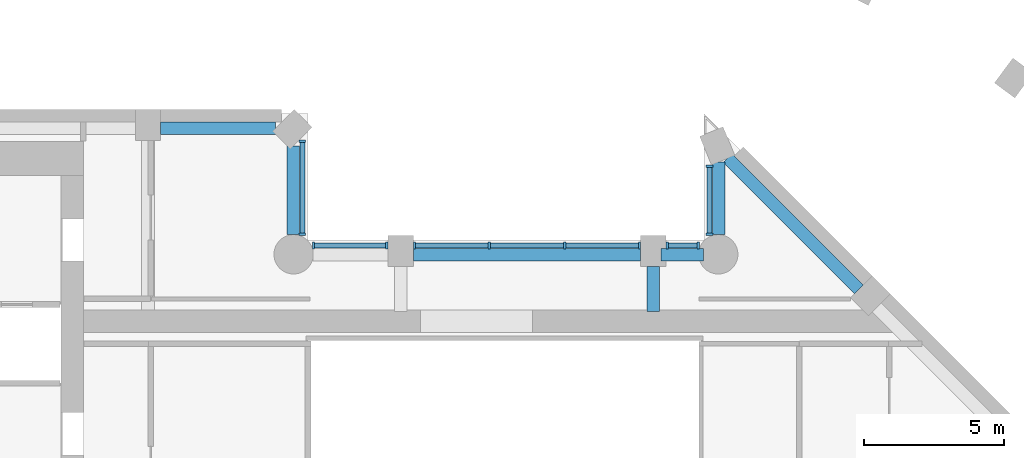
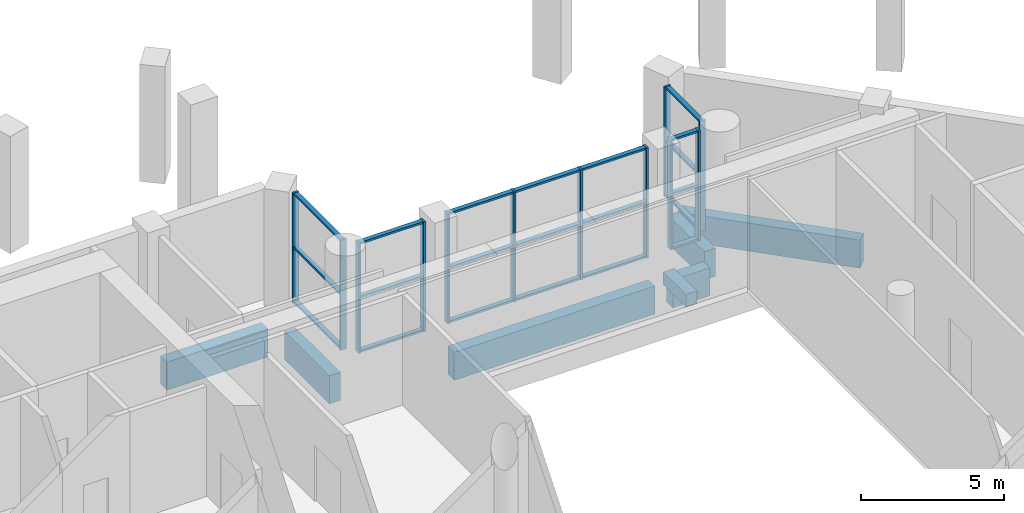
# One storey, part 3 of 12: 33 members, 7 beams, 5 elements without a shape of their own.
"""IFC4 building model written with IfcOpenShell, lengths in metres."""

from ifc_helpers import new_model, si_unit, direction, frame, origin, origin_2d, place, context, subcontext, project, spatial, rectangle, extrude, material, material_profile, profile_set, type_object, element, aggregate, save


model = new_model("IFC4")

# Units and contexts
model_context = context("Model", 3, precision=1e-05, world=origin(), true_north=direction((0.0, 1.0)))
body_context = subcontext(model_context, "Body", "Model", "MODEL_VIEW")
ifc_project = project(units=[si_unit("LENGTHUNIT", "METRE"), si_unit("AREAUNIT", "SQUARE_METRE"), si_unit("VOLUMEUNIT", "CUBIC_METRE"), si_unit("PLANEANGLEUNIT", "RADIAN"), si_unit("MASSUNIT", "GRAM", prefix="KILO")], contexts=[model_context])

# Site, building, storey
site_placement = place(None, origin())
site = spatial("IfcSite", under=ifc_project, at=site_placement, CompositionType="ELEMENT")
building_placement = place(site_placement, origin())
building = spatial("IfcBuilding", under=site, at=building_placement, Name="Cypress Arch Tower", CompositionType="ELEMENT")
storey_placement = place(building_placement, frame((0.0, 0.0, 238.39990234375)))
storey = spatial("IfcBuildingStorey", under=building, at=storey_placement, Name="L53", CompositionType="ELEMENT", Elevation=238.39990234375)

# Beam
ifc_material_1 = material(Name="Concrete C50/60", Category="concrete")
ifc_material_profile_1 = material_profile(ifc_material_1, rectangle(XDim=0.449951171875, YDim=0.550048828125, at=origin_2d()), Name="RC 450x550")
ifc_profile_set_1 = profile_set([ifc_material_profile_1], Name="Concrete C50/60")
beam_type_1 = type_object("IfcBeamType", Name="Floor beam RC 450x550 Concrete C50/60", PredefinedType="BEAM", material=ifc_profile_set_1)
beam_1_placement = place(storey_placement, frame((6.300048828125, 9.949951171875, -0.574951171875), z_axis=(0.0, 1.0, 0.0), x_axis=(-1.0, 0.0, 0.0)))
element("IfcBeam", 1, at=beam_1_placement, inside=storey, type_object=beam_type_1, Name="Floor beam L53 FB012", PredefinedType="BEAM", context=body_context, shape_type="SweptSolid", body=[
    extrude(rectangle(XDim=0.449951171875, YDim=0.550048828125, at=origin_2d()), origin(), (0.0, 0.0, 1.0), 1.60009765625),
])

# Curtain wall, members
ifc_material_2 = material(Name="Anodised aluminium, bronze finish, clear laminated double glazing", Category="aluminium")
curtain_wall_type = type_object("IfcCurtainWallType", Name="Curtain wall CW7 slot glazing", PredefinedType="NOTDEFINED", material=ifc_material_2)
curtain_wall_1_placement = place(storey_placement, origin())
curtain_wall_1 = element("IfcCurtainWall", 2, at=curtain_wall_1_placement, inside=storey, type_object=curtain_wall_type, Name="Curtain wall L53 slot B06.0", PredefinedType="NOTDEFINED")
ifc_material_3 = material(Name="Anodised aluminium, bronze finish", Category="aluminium")
ifc_material_profile_2 = material_profile(ifc_material_3, rectangle(XDim=0.239990234375, YDim=0.0849609375, at=origin_2d()), Name="Mullion 85x240")
ifc_profile_set_2 = profile_set([ifc_material_profile_2], Name="Anodised aluminium, bronze finish")
member_type_1 = type_object("IfcMemberType", Name="Mullion CW7 85x240", PredefinedType="MULLION", material=ifc_profile_set_2)
member_1_placement = place(storey_placement, frame((8.300048828125, 15.12744140625, 0.0), z_axis=(0.0, 0.0, 1.0), x_axis=(1.0, 0.0, 0.0)))
member_1 = element("IfcMember", 3, at=member_1_placement, type_object=member_type_1, Name="CW7 mullion 1", PredefinedType="MULLION", context=body_context, shape_type="SweptSolid", body=[
    extrude(rectangle(XDim=0.239990234375, YDim=0.0849609375, at=origin_2d()), origin(), (0.0, 0.0, 1.0), 4.7001953125),
])
member_2_placement = place(storey_placement, frame((8.300048828125, 12.697021484375, 0.0), z_axis=(0.0, 0.0, 1.0), x_axis=(1.0, 0.0, 0.0)))
member_2 = element("IfcMember", 4, at=member_2_placement, type_object=member_type_1, Name="CW7 mullion 2", PredefinedType="MULLION", context=body_context, shape_type="SweptSolid", body=[
    extrude(rectangle(XDim=0.239990234375, YDim=0.0849609375, at=origin_2d()), origin(), (0.0, 0.0, 1.0), 4.7001953125),
])

curtain_wall_2_placement = place(storey_placement, origin())
curtain_wall_2 = element("IfcCurtainWall", 5, at=curtain_wall_2_placement, inside=storey, type_object=curtain_wall_type, Name="Curtain wall L53 slot B07.0", PredefinedType="NOTDEFINED")
member_3_placement = place(storey_placement, frame((7.903076171875, 12.300048828125, 0.0), z_axis=(0.0, 0.0, 1.0), x_axis=(0.0, -1.0, 0.0)))
member_3 = element("IfcMember", 6, at=member_3_placement, type_object=member_type_1, Name="CW7 mullion 1", PredefinedType="MULLION", context=body_context, shape_type="SweptSolid", body=[
    extrude(rectangle(XDim=0.239990234375, YDim=0.0849609375, at=origin_2d()), origin(), (0.0, 0.0, 1.0), 4.7001953125),
])
member_4_placement = place(storey_placement, frame((6.79248046875, 12.300048828125, 0.0), z_axis=(0.0, 0.0, 1.0), x_axis=(0.0, -1.0, 0.0)))
member_4 = element("IfcMember", 7, at=member_4_placement, type_object=member_type_1, Name="CW7 mullion 2", PredefinedType="MULLION", context=body_context, shape_type="SweptSolid", body=[
    extrude(rectangle(XDim=0.239990234375, YDim=0.0849609375, at=origin_2d()), origin(), (0.0, 0.0, 1.0), 4.7001953125),
])

curtain_wall_3_placement = place(storey_placement, origin())
curtain_wall_3 = element("IfcCurtainWall", 8, at=curtain_wall_3_placement, inside=storey, type_object=curtain_wall_type, Name="Curtain wall L53 slot B07.1", PredefinedType="NOTDEFINED")
member_5_placement = place(storey_placement, frame((5.8076171875, 12.300048828125, 0.0), z_axis=(0.0, 0.0, 1.0), x_axis=(0.0, -1.0, 0.0)))
member_5 = element("IfcMember", 9, at=member_5_placement, type_object=member_type_1, Name="CW7 mullion 1", PredefinedType="MULLION", context=body_context, shape_type="SweptSolid", body=[
    extrude(rectangle(XDim=0.239990234375, YDim=0.0849609375, at=origin_2d()), origin(), (0.0, 0.0, 1.0), 4.7001953125),
])
member_6_placement = place(storey_placement, frame((3.14990234375, 12.300048828125, 0.0), z_axis=(0.0, 0.0, 1.0), x_axis=(0.0, -1.0, 0.0)))
member_6 = element("IfcMember", 10, at=member_6_placement, type_object=member_type_1, Name="CW7 mullion 2", PredefinedType="MULLION", context=body_context, shape_type="SweptSolid", body=[
    extrude(rectangle(XDim=0.239990234375, YDim=0.0849609375, at=origin_2d()), origin(), (0.0, 0.0, 1.0), 4.7001953125),
])
member_7_placement = place(storey_placement, frame((0.449951171875, 12.300048828125, 0.0), z_axis=(0.0, 0.0, 1.0), x_axis=(0.0, -1.0, 0.0)))
member_7 = element("IfcMember", 11, at=member_7_placement, type_object=member_type_1, Name="CW7 mullion 3", PredefinedType="MULLION", context=body_context, shape_type="SweptSolid", body=[
    extrude(rectangle(XDim=0.239990234375, YDim=0.0849609375, at=origin_2d()), origin(), (0.0, 0.0, 1.0), 4.7001953125),
])
member_8_placement = place(storey_placement, frame((-2.20751953125, 12.300048828125, 0.0), z_axis=(0.0, 0.0, 1.0), x_axis=(0.0, -1.0, 0.0)))
member_8 = element("IfcMember", 12, at=member_8_placement, type_object=member_type_1, Name="CW7 mullion 4", PredefinedType="MULLION", context=body_context, shape_type="SweptSolid", body=[
    extrude(rectangle(XDim=0.239990234375, YDim=0.0849609375, at=origin_2d()), origin(), (0.0, 0.0, 1.0), 4.7001953125),
])

curtain_wall_4_placement = place(storey_placement, origin())
curtain_wall_4 = element("IfcCurtainWall", 13, at=curtain_wall_4_placement, inside=storey, type_object=curtain_wall_type, Name="Curtain wall L53 slot B07.2", PredefinedType="NOTDEFINED")
member_9_placement = place(storey_placement, frame((-3.1923828125, 12.300048828125, 0.0), z_axis=(0.0, 0.0, 1.0), x_axis=(0.0, -1.0, 0.0)))
member_9 = element("IfcMember", 14, at=member_9_placement, type_object=member_type_1, Name="CW7 mullion 1", PredefinedType="MULLION", context=body_context, shape_type="SweptSolid", body=[
    extrude(rectangle(XDim=0.239990234375, YDim=0.0849609375, at=origin_2d()), origin(), (0.0, 0.0, 1.0), 4.7001953125),
])
member_10_placement = place(storey_placement, frame((-5.802978515625, 12.300048828125, 0.0), z_axis=(0.0, 0.0, 1.0), x_axis=(0.0, -1.0, 0.0)))
member_10 = element("IfcMember", 15, at=member_10_placement, type_object=member_type_1, Name="CW7 mullion 2", PredefinedType="MULLION", context=body_context, shape_type="SweptSolid", body=[
    extrude(rectangle(XDim=0.239990234375, YDim=0.0849609375, at=origin_2d()), origin(), (0.0, 0.0, 1.0), 4.7001953125),
])

curtain_wall_5_placement = place(storey_placement, origin())
curtain_wall_5 = element("IfcCurtainWall", 16, at=curtain_wall_5_placement, inside=storey, type_object=curtain_wall_type, Name="Curtain wall L53 slot B08.0", PredefinedType="NOTDEFINED")
member_11_placement = place(storey_placement, frame((-6.199951171875, 12.697021484375, 0.0), z_axis=(0.0, 0.0, 1.0), x_axis=(-1.0, 0.0, 0.0)))
member_11 = element("IfcMember", 17, at=member_11_placement, type_object=member_type_1, Name="CW7 mullion 1", PredefinedType="MULLION", context=body_context, shape_type="SweptSolid", body=[
    extrude(rectangle(XDim=0.239990234375, YDim=0.0849609375, at=origin_2d()), origin(), (0.0, 0.0, 1.0), 4.7001953125),
])
member_12_placement = place(storey_placement, frame((-6.199951171875, 16.02099609375, 0.0), z_axis=(0.0, 0.0, 1.0), x_axis=(-1.0, 0.0, 0.0)))
member_12 = element("IfcMember", 18, at=member_12_placement, type_object=member_type_1, Name="CW7 mullion 2", PredefinedType="MULLION", context=body_context, shape_type="SweptSolid", body=[
    extrude(rectangle(XDim=0.239990234375, YDim=0.0849609375, at=origin_2d()), origin(), (0.0, 0.0, 1.0), 4.7001953125),
])

# Beams
ifc_material_4 = material(Name="Concrete C50/60", Category="concrete")
ifc_material_profile_3 = material_profile(ifc_material_4, rectangle(XDim=0.449951171875, YDim=1.199951171875, at=origin_2d()), Name="RC 450x1200")
ifc_profile_set_3 = profile_set([ifc_material_profile_3], Name="Concrete C50/60")
beam_type_2 = type_object("IfcBeamType", Name="Spandrel beam RC 450x1200 Concrete C50/60", PredefinedType="SPANDREL", material=ifc_profile_set_3)
beam_2_placement = place(storey_placement, frame((13.622802734375, 10.73486328125, -1.5498046875), z_axis=(-0.707106781187, 0.707106781187, 0.0), x_axis=(-0.707106781187, -0.707106781187, 0.0)))
element("IfcBeam", 19, at=beam_2_placement, inside=storey, type_object=beam_type_2, Name="Spandrel beam L53 BB05-1", PredefinedType="SPANDREL", context=body_context, shape_type="SweptSolid", body=[
    extrude(rectangle(XDim=0.449951171875, YDim=1.199951171875, at=origin_2d()), origin(), (0.0, 0.0, 1.0), 6.610595703125),
])
beam_3_placement = place(storey_placement, frame((8.625, 15.275146484375, -1.5498046875), z_axis=(0.0, -1.0, 0.0), x_axis=(1.0, 0.0, 0.0)))
element("IfcBeam", 20, at=beam_3_placement, inside=storey, type_object=beam_type_2, Name="Spandrel beam L53 BB06-0", PredefinedType="SPANDREL", context=body_context, shape_type="SweptSolid", body=[
    extrude(rectangle(XDim=0.449951171875, YDim=1.199951171875, at=origin_2d()), origin(), (0.0, 0.0, 1.0), 2.587646484375),
])
beam_4_placement = place(storey_placement, frame((8.081298828125, 11.97509765625, -1.5498046875), z_axis=(-1.0, 0.0, 0.0), x_axis=(0.0, -1.0, 0.0)))
element("IfcBeam", 21, at=beam_4_placement, inside=storey, type_object=beam_type_2, Name="Spandrel beam L53 BB07-0", PredefinedType="SPANDREL", context=body_context, shape_type="SweptSolid", body=[
    extrude(rectangle(XDim=0.449951171875, YDim=1.199951171875, at=origin_2d()), origin(), (0.0, 0.0, 1.0), 1.5),
])
beam_5_placement = place(storey_placement, frame((5.85009765625, 11.97509765625, -1.5498046875), z_axis=(-1.0, 0.0, 0.0), x_axis=(0.0, -1.0, 0.0)))
element("IfcBeam", 22, at=beam_5_placement, inside=storey, type_object=beam_type_2, Name="Spandrel beam L53 BB07-1", PredefinedType="SPANDREL", context=body_context, shape_type="SweptSolid", body=[
    extrude(rectangle(XDim=0.449951171875, YDim=1.199951171875, at=origin_2d()), origin(), (0.0, 0.0, 1.0), 8.10009765625),
])
beam_6_placement = place(storey_placement, frame((-6.52490234375, 12.6875, -1.5498046875), z_axis=(0.0, 1.0, 0.0), x_axis=(-1.0, 0.0, 0.0)))
element("IfcBeam", 23, at=beam_6_placement, inside=storey, type_object=beam_type_2, Name="Spandrel beam L53 BB08-0", PredefinedType="SPANDREL", context=body_context, shape_type="SweptSolid", body=[
    extrude(rectangle(XDim=0.449951171875, YDim=1.199951171875, at=origin_2d()), origin(), (0.0, 0.0, 1.0), 3.151123046875),
])
beam_7_placement = place(storey_placement, frame((-7.161376953125, 16.47509765625, -1.5498046875), z_axis=(-1.0, 0.0, 0.0), x_axis=(0.0, -1.0, 0.0)))
element("IfcBeam", 24, at=beam_7_placement, inside=storey, type_object=beam_type_2, Name="Spandrel beam L53 BB09-0", PredefinedType="SPANDREL", context=body_context, shape_type="SweptSolid", body=[
    extrude(rectangle(XDim=0.449951171875, YDim=1.199951171875, at=origin_2d()), origin(), (0.0, 0.0, 1.0), 4.088623046875),
])

# Member
ifc_material_5 = material(Name="Anodised aluminium, bronze finish", Category="aluminium")
ifc_material_profile_4 = material_profile(ifc_material_5, rectangle(XDim=0.179931640625, YDim=0.0849609375, at=origin_2d()), Name="Transom 85x180")
ifc_profile_set_4 = profile_set([ifc_material_profile_4], Name="Anodised aluminium, bronze finish")
member_type_2 = type_object("IfcMemberType", Name="Transom CW7 85x180", PredefinedType="USERDEFINED", material=ifc_profile_set_4)
member_13_placement = place(storey_placement, frame((8.300048828125, 15.0849609375, 0.04248046875), z_axis=(0.0, -1.0, 0.0), x_axis=(1.0, 0.0, 0.0)))
member_13 = element("IfcMember", 25, at=member_13_placement, type_object=member_type_2, Name="CW7 transom 1.1", ObjectType="TRANSOM", PredefinedType="USERDEFINED", context=body_context, shape_type="SweptSolid", body=[
    extrude(rectangle(XDim=0.179931640625, YDim=0.0849609375, at=origin_2d()), origin(), (0.0, 0.0, 1.0), 2.345458984375),
])

member_14_placement = place(storey_placement, frame((8.300048828125, 15.0849609375, 2.35009765625), z_axis=(0.0, -1.0, 0.0), x_axis=(1.0, 0.0, 0.0)))
member_14 = element("IfcMember", 26, at=member_14_placement, type_object=member_type_2, Name="CW7 transom 1.2", ObjectType="TRANSOM", PredefinedType="USERDEFINED", context=body_context, shape_type="SweptSolid", body=[
    extrude(rectangle(XDim=0.179931640625, YDim=0.0849609375, at=origin_2d()), origin(), (0.0, 0.0, 1.0), 2.345458984375),
])

member_15_placement = place(storey_placement, frame((8.300048828125, 15.0849609375, 4.65771484375), z_axis=(0.0, -1.0, 0.0), x_axis=(1.0, 0.0, 0.0)))
member_15 = element("IfcMember", 27, at=member_15_placement, type_object=member_type_2, Name="CW7 transom 1.3", ObjectType="TRANSOM", PredefinedType="USERDEFINED", context=body_context, shape_type="SweptSolid", body=[
    extrude(rectangle(XDim=0.179931640625, YDim=0.0849609375, at=origin_2d()), origin(), (0.0, 0.0, 1.0), 2.345458984375),
])

aggregate(curtain_wall_1, [member_1, member_2, member_13, member_14, member_15])

member_16_placement = place(storey_placement, frame((7.8603515625, 12.300048828125, 0.04248046875), z_axis=(-1.0, 0.0, 0.0), x_axis=(0.0, -1.0, 0.0)))
member_16 = element("IfcMember", 28, at=member_16_placement, type_object=member_type_2, Name="CW7 transom 1.1", ObjectType="TRANSOM", PredefinedType="USERDEFINED", context=body_context, shape_type="SweptSolid", body=[
    extrude(rectangle(XDim=0.179931640625, YDim=0.0849609375, at=origin_2d()), origin(), (0.0, 0.0, 1.0), 1.025390625),
])

member_17_placement = place(storey_placement, frame((7.8603515625, 12.300048828125, 2.35009765625), z_axis=(-1.0, 0.0, 0.0), x_axis=(0.0, -1.0, 0.0)))
member_17 = element("IfcMember", 29, at=member_17_placement, type_object=member_type_2, Name="CW7 transom 1.2", ObjectType="TRANSOM", PredefinedType="USERDEFINED", context=body_context, shape_type="SweptSolid", body=[
    extrude(rectangle(XDim=0.179931640625, YDim=0.0849609375, at=origin_2d()), origin(), (0.0, 0.0, 1.0), 1.025390625),
])

member_18_placement = place(storey_placement, frame((7.8603515625, 12.300048828125, 4.65771484375), z_axis=(-1.0, 0.0, 0.0), x_axis=(0.0, -1.0, 0.0)))
member_18 = element("IfcMember", 30, at=member_18_placement, type_object=member_type_2, Name="CW7 transom 1.3", ObjectType="TRANSOM", PredefinedType="USERDEFINED", context=body_context, shape_type="SweptSolid", body=[
    extrude(rectangle(XDim=0.179931640625, YDim=0.0849609375, at=origin_2d()), origin(), (0.0, 0.0, 1.0), 1.025390625),
])

aggregate(curtain_wall_2, [member_3, member_4, member_16, member_17, member_18])

member_19_placement = place(storey_placement, frame((5.764892578125, 12.300048828125, 0.04248046875), z_axis=(-1.0, 0.0, 0.0), x_axis=(0.0, -1.0, 0.0)))
member_19 = element("IfcMember", 31, at=member_19_placement, type_object=member_type_2, Name="CW7 transom 1.1", ObjectType="TRANSOM", PredefinedType="USERDEFINED", context=body_context, shape_type="SweptSolid", body=[
    extrude(rectangle(XDim=0.179931640625, YDim=0.0849609375, at=origin_2d()), origin(), (0.0, 0.0, 1.0), 2.572509765625),
])

member_20_placement = place(storey_placement, frame((5.764892578125, 12.300048828125, 2.35009765625), z_axis=(-1.0, 0.0, 0.0), x_axis=(0.0, -1.0, 0.0)))
member_20 = element("IfcMember", 32, at=member_20_placement, type_object=member_type_2, Name="CW7 transom 1.2", ObjectType="TRANSOM", PredefinedType="USERDEFINED", context=body_context, shape_type="SweptSolid", body=[
    extrude(rectangle(XDim=0.179931640625, YDim=0.0849609375, at=origin_2d()), origin(), (0.0, 0.0, 1.0), 2.572509765625),
])

member_21_placement = place(storey_placement, frame((5.764892578125, 12.300048828125, 4.65771484375), z_axis=(-1.0, 0.0, 0.0), x_axis=(0.0, -1.0, 0.0)))
member_21 = element("IfcMember", 33, at=member_21_placement, type_object=member_type_2, Name="CW7 transom 1.3", ObjectType="TRANSOM", PredefinedType="USERDEFINED", context=body_context, shape_type="SweptSolid", body=[
    extrude(rectangle(XDim=0.179931640625, YDim=0.0849609375, at=origin_2d()), origin(), (0.0, 0.0, 1.0), 2.572509765625),
])

member_22_placement = place(storey_placement, frame((3.107421875, 12.300048828125, 0.04248046875), z_axis=(-1.0, 0.0, 0.0), x_axis=(0.0, -1.0, 0.0)))
member_22 = element("IfcMember", 34, at=member_22_placement, type_object=member_type_2, Name="CW7 transom 2.1", ObjectType="TRANSOM", PredefinedType="USERDEFINED", context=body_context, shape_type="SweptSolid", body=[
    extrude(rectangle(XDim=0.179931640625, YDim=0.0849609375, at=origin_2d()), origin(), (0.0, 0.0, 1.0), 2.614990234375),
])

member_23_placement = place(storey_placement, frame((3.107421875, 12.300048828125, 2.35009765625), z_axis=(-1.0, 0.0, 0.0), x_axis=(0.0, -1.0, 0.0)))
member_23 = element("IfcMember", 35, at=member_23_placement, type_object=member_type_2, Name="CW7 transom 2.2", ObjectType="TRANSOM", PredefinedType="USERDEFINED", context=body_context, shape_type="SweptSolid", body=[
    extrude(rectangle(XDim=0.179931640625, YDim=0.0849609375, at=origin_2d()), origin(), (0.0, 0.0, 1.0), 2.614990234375),
])

member_24_placement = place(storey_placement, frame((3.107421875, 12.300048828125, 4.65771484375), z_axis=(-1.0, 0.0, 0.0), x_axis=(0.0, -1.0, 0.0)))
member_24 = element("IfcMember", 36, at=member_24_placement, type_object=member_type_2, Name="CW7 transom 2.3", ObjectType="TRANSOM", PredefinedType="USERDEFINED", context=body_context, shape_type="SweptSolid", body=[
    extrude(rectangle(XDim=0.179931640625, YDim=0.0849609375, at=origin_2d()), origin(), (0.0, 0.0, 1.0), 2.614990234375),
])

member_25_placement = place(storey_placement, frame((0.407470703125, 12.300048828125, 0.04248046875), z_axis=(-1.0, 0.0, 0.0), x_axis=(0.0, -1.0, 0.0)))
member_25 = element("IfcMember", 37, at=member_25_placement, type_object=member_type_2, Name="CW7 transom 3.1", ObjectType="TRANSOM", PredefinedType="USERDEFINED", context=body_context, shape_type="SweptSolid", body=[
    extrude(rectangle(XDim=0.179931640625, YDim=0.0849609375, at=origin_2d()), origin(), (0.0, 0.0, 1.0), 2.572509765625),
])

member_26_placement = place(storey_placement, frame((0.407470703125, 12.300048828125, 2.35009765625), z_axis=(-1.0, 0.0, 0.0), x_axis=(0.0, -1.0, 0.0)))
member_26 = element("IfcMember", 38, at=member_26_placement, type_object=member_type_2, Name="CW7 transom 3.2", ObjectType="TRANSOM", PredefinedType="USERDEFINED", context=body_context, shape_type="SweptSolid", body=[
    extrude(rectangle(XDim=0.179931640625, YDim=0.0849609375, at=origin_2d()), origin(), (0.0, 0.0, 1.0), 2.572509765625),
])

member_27_placement = place(storey_placement, frame((0.407470703125, 12.300048828125, 4.65771484375), z_axis=(-1.0, 0.0, 0.0), x_axis=(0.0, -1.0, 0.0)))
member_27 = element("IfcMember", 39, at=member_27_placement, type_object=member_type_2, Name="CW7 transom 3.3", ObjectType="TRANSOM", PredefinedType="USERDEFINED", context=body_context, shape_type="SweptSolid", body=[
    extrude(rectangle(XDim=0.179931640625, YDim=0.0849609375, at=origin_2d()), origin(), (0.0, 0.0, 1.0), 2.572509765625),
])

aggregate(curtain_wall_3, [member_5, member_6, member_7, member_8, member_19, member_20, member_21, member_22, member_23, member_24, member_25, member_26, member_27])

member_28_placement = place(storey_placement, frame((-3.235107421875, 12.300048828125, 0.04248046875), z_axis=(-1.0, 0.0, 0.0), x_axis=(0.0, -1.0, 0.0)))
member_28 = element("IfcMember", 40, at=member_28_placement, type_object=member_type_2, Name="CW7 transom 1.1", ObjectType="TRANSOM", PredefinedType="USERDEFINED", context=body_context, shape_type="SweptSolid", body=[
    extrude(rectangle(XDim=0.179931640625, YDim=0.0849609375, at=origin_2d()), origin(), (0.0, 0.0, 1.0), 2.525390625),
])

member_29_placement = place(storey_placement, frame((-3.235107421875, 12.300048828125, 2.35009765625), z_axis=(-1.0, 0.0, 0.0), x_axis=(0.0, -1.0, 0.0)))
member_29 = element("IfcMember", 41, at=member_29_placement, type_object=member_type_2, Name="CW7 transom 1.2", ObjectType="TRANSOM", PredefinedType="USERDEFINED", context=body_context, shape_type="SweptSolid", body=[
    extrude(rectangle(XDim=0.179931640625, YDim=0.0849609375, at=origin_2d()), origin(), (0.0, 0.0, 1.0), 2.525390625),
])

member_30_placement = place(storey_placement, frame((-3.235107421875, 12.300048828125, 4.65771484375), z_axis=(-1.0, 0.0, 0.0), x_axis=(0.0, -1.0, 0.0)))
member_30 = element("IfcMember", 42, at=member_30_placement, type_object=member_type_2, Name="CW7 transom 1.3", ObjectType="TRANSOM", PredefinedType="USERDEFINED", context=body_context, shape_type="SweptSolid", body=[
    extrude(rectangle(XDim=0.179931640625, YDim=0.0849609375, at=origin_2d()), origin(), (0.0, 0.0, 1.0), 2.525390625),
])

aggregate(curtain_wall_4, [member_9, member_10, member_28, member_29, member_30])

member_31_placement = place(storey_placement, frame((-6.199951171875, 12.739501953125, 0.04248046875), z_axis=(0.0, 1.0, 0.0), x_axis=(-1.0, 0.0, 0.0)))
member_31 = element("IfcMember", 43, at=member_31_placement, type_object=member_type_2, Name="CW7 transom 1.1", ObjectType="TRANSOM", PredefinedType="USERDEFINED", context=body_context, shape_type="SweptSolid", body=[
    extrude(rectangle(XDim=0.179931640625, YDim=0.0849609375, at=origin_2d()), origin(), (0.0, 0.0, 1.0), 3.239013671875),
])

member_32_placement = place(storey_placement, frame((-6.199951171875, 12.739501953125, 2.35009765625), z_axis=(0.0, 1.0, 0.0), x_axis=(-1.0, 0.0, 0.0)))
member_32 = element("IfcMember", 44, at=member_32_placement, type_object=member_type_2, Name="CW7 transom 1.2", ObjectType="TRANSOM", PredefinedType="USERDEFINED", context=body_context, shape_type="SweptSolid", body=[
    extrude(rectangle(XDim=0.179931640625, YDim=0.0849609375, at=origin_2d()), origin(), (0.0, 0.0, 1.0), 3.239013671875),
])

member_33_placement = place(storey_placement, frame((-6.199951171875, 12.739501953125, 4.65771484375), z_axis=(0.0, 1.0, 0.0), x_axis=(-1.0, 0.0, 0.0)))
member_33 = element("IfcMember", 45, at=member_33_placement, type_object=member_type_2, Name="CW7 transom 1.3", ObjectType="TRANSOM", PredefinedType="USERDEFINED", context=body_context, shape_type="SweptSolid", body=[
    extrude(rectangle(XDim=0.179931640625, YDim=0.0849609375, at=origin_2d()), origin(), (0.0, 0.0, 1.0), 3.239013671875),
])

aggregate(curtain_wall_5, [member_11, member_12, member_31, member_32, member_33])

save(model, "model.ifc")
